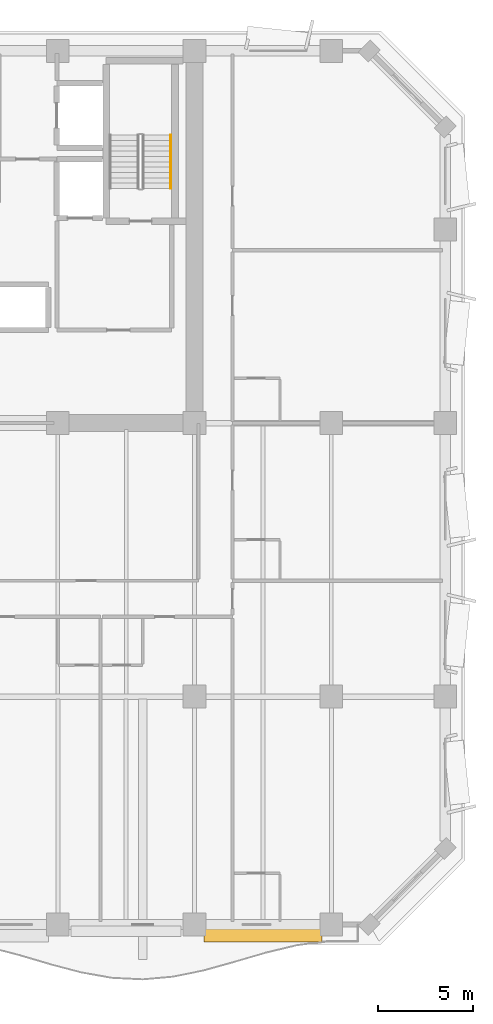
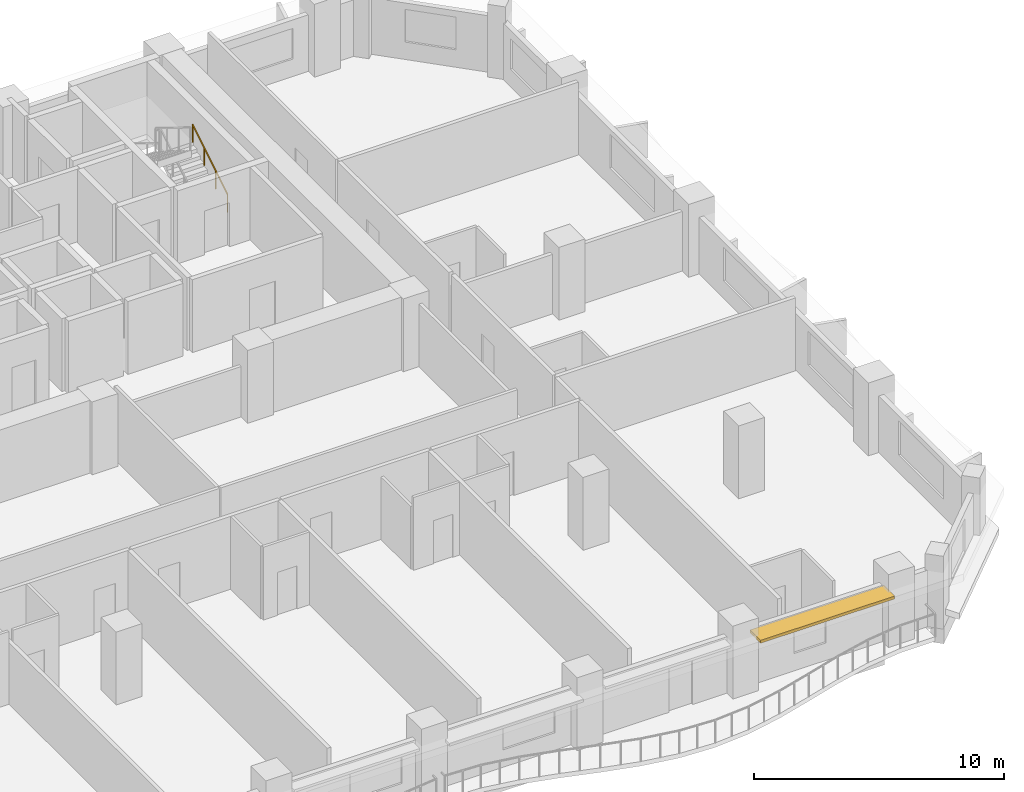
# One storey, part 14 of 14: 1 railing, 1 shading device.
"""IFC4 building model written with IfcOpenShell, lengths in metres."""

from ifc_helpers import new_model, si_unit, direction, frame, origin, origin_2d, place, context, subcontext, project, spatial, rectangle, extrude, material, layer, layer_set, type_object, element, save


model = new_model("IFC4")

# Units and contexts
model_context = context("Model", 3, precision=1e-05, world=origin(), true_north=direction((0.0, 1.0)))
body_context = subcontext(model_context, "Body", "Model", "MODEL_VIEW")
ifc_project = project(units=[si_unit("LENGTHUNIT", "METRE"), si_unit("AREAUNIT", "SQUARE_METRE"), si_unit("VOLUMEUNIT", "CUBIC_METRE"), si_unit("PLANEANGLEUNIT", "RADIAN"), si_unit("MASSUNIT", "GRAM", prefix="KILO")], contexts=[model_context])

# Site, building, storey
site_placement = place(None, origin())
site = spatial("IfcSite", under=ifc_project, at=site_placement, CompositionType="ELEMENT")
building_placement = place(site_placement, origin())
building = spatial("IfcBuilding", under=site, at=building_placement, Name="Kaelvorn Grand Hotel", CompositionType="ELEMENT")
storey_placement = place(building_placement, frame((0.0, 0.0, 161.949951171875)))
storey = spatial("IfcBuildingStorey", under=building, at=storey_placement, Name="L39", CompositionType="ELEMENT", Elevation=161.949951171875)

# Railing
ifc_material_1 = material(Name="Stainless Steel", Category="steel")
railing_type = type_object("IfcRailingType", Name="RL-HANDRAIL-900", PredefinedType="HANDRAIL", material=ifc_material_1)
railing_placement = place(storey_placement, frame((66.550048828125, 41.760009765625, 0.1728515625)))
element("IfcRailing", 1, at=railing_placement, inside=storey, type_object=railing_type, Name="L39 ST3 stair handrail 1", PredefinedType="HANDRAIL", context=body_context, shape_type="SweptSolid", body=[
    extrude(rectangle(XDim=0.048095703125, YDim=0.048095703125, at=origin_2d()), frame((0.0, 0.0, 0.8759765625), z_axis=(0.0, 0.851089632645, 0.525020415988), x_axis=(-1.0, 0.0, 0.0)), (0.0, 0.0, 1.0), 3.2900390625),
    extrude(rectangle(XDim=0.0419921875, YDim=0.0419921875, at=origin_2d()), origin(), (0.0, 0.0, 1.0), 0.851806640625),
    extrude(rectangle(XDim=0.0419921875, YDim=0.0419921875, at=origin_2d()), frame((0.0, 0.933349609375, 0.57568359375)), (0.0, 0.0, 1.0), 0.851806640625),
    extrude(rectangle(XDim=0.0419921875, YDim=0.0419921875, at=origin_2d()), frame((0.0, 1.86669921875, 1.151611328125)), (0.0, 0.0, 1.0), 0.851806640625),
    extrude(rectangle(XDim=0.0419921875, YDim=0.0419921875, at=origin_2d()), frame((0.0, 2.800048828125, 1.727294921875)), (0.0, 0.0, 1.0), 0.851806640625),
])

# Shading device
ifc_material_2 = material(Name="Precast concrete C45/55", Category="concrete")
ifc_layer = layer(ifc_material_2, 0.139892578125)
ifc_layer_set = layer_set([ifc_layer], Name="Precast concrete C45/55")
shading_device_type = type_object("IfcShadingDeviceType", Name="SHD-SUNSHADE-850", PredefinedType="USERDEFINED", material=ifc_layer_set)
shading_device_placement = place(storey_placement, frame((71.39990234375, 2.4951171875, 2.55029296875), z_axis=(0.0, 0.0, 1.0), x_axis=(1.0, 0.0, 0.0)))
element("IfcShadingDevice", 2, at=shading_device_placement, inside=storey, type_object=shading_device_type, Name="L39 Horizontal Concrete Sunshade Band SS-10", ObjectType="SUNSHADE", PredefinedType="USERDEFINED", context=body_context, shape_type="SweptSolid", body=[
    extrude(rectangle(XDim=6.199951171875, YDim=0.85009765625, at=origin_2d()), origin(), (0.0, 0.0, 1.0), 0.139892578125),
])

save(model, "model.ifc")
